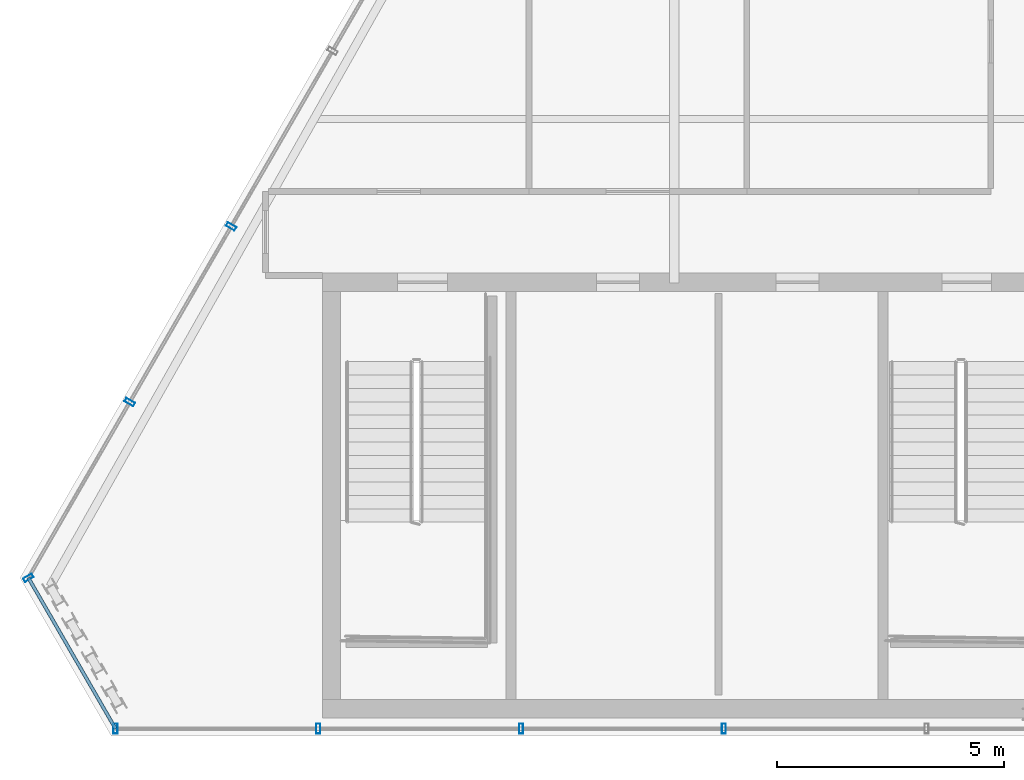
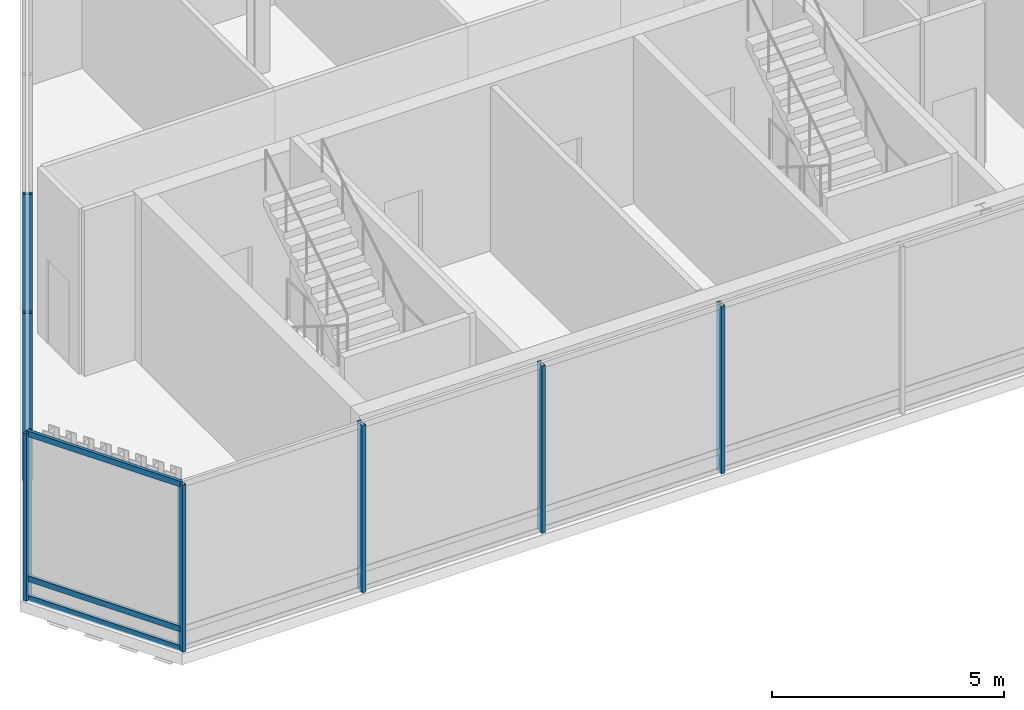
# One storey, part 3 of 25: 10 members, 3 elements without a shape of their own.
"""IFC4 building model written with IfcOpenShell, lengths in metres."""

from ifc_helpers import new_model, si_unit, direction, frame, origin, origin_2d, place, context, subcontext, project, spatial, hollow_rectangle, extrude, material, layer, layer_set, material_profile, profile_set, type_object, element, aggregate, save


model = new_model("IFC4")

# Units and contexts
model_context = context("Model", 3, precision=1e-05, world=origin(), true_north=direction((0.0, 1.0)))
body_context = subcontext(model_context, "Body", "Model", "MODEL_VIEW")
ifc_project = project(units=[si_unit("LENGTHUNIT", "METRE"), si_unit("AREAUNIT", "SQUARE_METRE"), si_unit("VOLUMEUNIT", "CUBIC_METRE"), si_unit("PLANEANGLEUNIT", "RADIAN"), si_unit("MASSUNIT", "GRAM", prefix="KILO")], contexts=[model_context])

# Site, building, storey
site_placement = place(None, origin())
site = spatial("IfcSite", under=ifc_project, at=site_placement, CompositionType="ELEMENT")
building_placement = place(site_placement, origin())
building = spatial("IfcBuilding", under=site, at=building_placement, Name="Ndaravel Arena Tower", CompositionType="ELEMENT")
storey_placement = place(building_placement, frame((0.0, 0.0, 303.300048828125)))
storey = spatial("IfcBuildingStorey", under=building, at=storey_placement, Name="L74", CompositionType="ELEMENT", Elevation=303.300048828125)

# Curtain wall, members
ifc_material_1 = material(Name="Aluminium", Category="aluminium")
ifc_layer = layer(ifc_material_1, 0.179931640625)
ifc_layer_set = layer_set([ifc_layer], Name="Aluminium")
curtain_wall_type = type_object("IfcCurtainWallType", Name="CW-SYS-04", PredefinedType="NOTDEFINED", material=ifc_layer_set)
curtain_wall_1_placement = place(storey_placement, origin())
curtain_wall_1 = element("IfcCurtainWall", 1, at=curtain_wall_1_placement, inside=storey, type_object=curtain_wall_type, Name="L74 Faceted Crystal Curtain Wall CW-L74-E01", PredefinedType="NOTDEFINED")
ifc_material_2 = material(Name="Aluminium", Category="aluminium")
ifc_material_profile_1 = material_profile(ifc_material_2, hollow_rectangle(XDim=0.090087890625, YDim=0.219970703125, WallThickness=0.0048828125, at=origin_2d()), Name="CW MULLION 90x220x5")
ifc_profile_set_1 = profile_set([ifc_material_profile_1], Name="Aluminium")
member_type_1 = type_object("IfcMemberType", Name="MEM-CW-MUL220", PredefinedType="MULLION", material=ifc_profile_set_1)
member_1_placement = place(storey_placement, frame((21.885009765625, 5.159912109375, 0.0), z_axis=(0.0, 0.0, 1.0), x_axis=(1.0, 0.0, 0.0)))
member_1 = element("IfcMember", 2, at=member_1_placement, type_object=member_type_1, Name="CW-L74-E01 Mullion 00", PredefinedType="MULLION", context=body_context, shape_type="SweptSolid", body=[
    extrude(hollow_rectangle(XDim=0.090087890625, YDim=0.219970703125, WallThickness=0.0048828125, at=origin_2d()), origin(), (0.0, 0.0, 1.0), 4.39990234375),
])
member_2_placement = place(storey_placement, frame((26.35498046875, 5.159912109375, 0.0), z_axis=(0.0, 0.0, 1.0), x_axis=(1.0, 0.0, 0.0)))
member_2 = element("IfcMember", 3, at=member_2_placement, type_object=member_type_1, Name="CW-L74-E01 Mullion 01", PredefinedType="MULLION", context=body_context, shape_type="SweptSolid", body=[
    extrude(hollow_rectangle(XDim=0.090087890625, YDim=0.219970703125, WallThickness=0.0048828125, at=origin_2d()), origin(), (0.0, 0.0, 1.0), 4.39990234375),
])
member_3_placement = place(storey_placement, frame((30.824951171875, 5.159912109375, 0.0), z_axis=(0.0, 0.0, 1.0), x_axis=(1.0, 0.0, 0.0)))
member_3 = element("IfcMember", 4, at=member_3_placement, type_object=member_type_1, Name="CW-L74-E01 Mullion 02", PredefinedType="MULLION", context=body_context, shape_type="SweptSolid", body=[
    extrude(hollow_rectangle(XDim=0.090087890625, YDim=0.219970703125, WallThickness=0.0048828125, at=origin_2d()), origin(), (0.0, 0.0, 1.0), 4.39990234375),
])
member_4_placement = place(storey_placement, frame((35.294921875, 5.159912109375, 0.0), z_axis=(0.0, 0.0, 1.0), x_axis=(1.0, 0.0, 0.0)))
member_4 = element("IfcMember", 5, at=member_4_placement, type_object=member_type_1, Name="CW-L74-E01 Mullion 03", PredefinedType="MULLION", context=body_context, shape_type="SweptSolid", body=[
    extrude(hollow_rectangle(XDim=0.090087890625, YDim=0.219970703125, WallThickness=0.0048828125, at=origin_2d()), origin(), (0.0, 0.0, 1.0), 4.39990234375),
])
aggregate(curtain_wall_1, [member_1, member_2, member_3, member_4])

curtain_wall_2_placement = place(storey_placement, origin())
curtain_wall_2 = element("IfcCurtainWall", 6, at=curtain_wall_2_placement, inside=storey, type_object=curtain_wall_type, Name="L74 Faceted Crystal Curtain Wall CW-L74-E05", PredefinedType="NOTDEFINED")
member_5_placement = place(storey_placement, frame((24.435302734375, 16.2275390625, 0.0), z_axis=(0.0, 0.0, 1.0), x_axis=(-0.5, -0.866025403784, 0.0)))
member_5 = element("IfcMember", 7, at=member_5_placement, type_object=member_type_1, Name="CW-L74-E05 Mullion 07", PredefinedType="MULLION", context=body_context, shape_type="SweptSolid", body=[
    extrude(hollow_rectangle(XDim=0.090087890625, YDim=0.219970703125, WallThickness=0.0048828125, at=origin_2d()), origin(), (0.0, 0.0, 1.0), 4.39990234375),
])
member_6_placement = place(storey_placement, frame((22.2001953125, 12.356201171875, 0.0), z_axis=(0.0, 0.0, 1.0), x_axis=(-0.5, -0.866025403784, 0.0)))
member_6 = element("IfcMember", 8, at=member_6_placement, type_object=member_type_1, Name="CW-L74-E05 Mullion 08", PredefinedType="MULLION", context=body_context, shape_type="SweptSolid", body=[
    extrude(hollow_rectangle(XDim=0.090087890625, YDim=0.219970703125, WallThickness=0.0048828125, at=origin_2d()), origin(), (0.0, 0.0, 1.0), 4.39990234375),
])
aggregate(curtain_wall_2, [member_5, member_6])

curtain_wall_3_placement = place(storey_placement, origin())
curtain_wall_3 = element("IfcCurtainWall", 9, at=curtain_wall_3_placement, inside=storey, type_object=curtain_wall_type, Name="L74 Faceted Crystal Curtain Wall CW-L74-E06", PredefinedType="NOTDEFINED")
member_7_placement = place(storey_placement, frame((19.965087890625, 8.485107421875, 0.0), z_axis=(0.0, 0.0, 1.0), x_axis=(0.5, -0.866025403784, 0.0)))
member_7 = element("IfcMember", 10, at=member_7_placement, type_object=member_type_1, Name="CW-L74-E06 Mullion 00", PredefinedType="MULLION", context=body_context, shape_type="SweptSolid", body=[
    extrude(hollow_rectangle(XDim=0.090087890625, YDim=0.219970703125, WallThickness=0.0048828125, at=origin_2d()), origin(), (0.0, 0.0, 1.0), 4.39990234375),
])
ifc_material_3 = material(Name="Aluminium", Category="aluminium")
ifc_material_profile_2 = material_profile(ifc_material_3, hollow_rectangle(XDim=0.074951171875, YDim=0.14990234375, WallThickness=0.00390625, at=origin_2d()), Name="CW TRANSOM 75x150x4")
ifc_profile_set_2 = profile_set([ifc_material_profile_2], Name="Aluminium")
member_type_2 = type_object("IfcMemberType", Name="MEM-CW-TRN150", PredefinedType="USERDEFINED", material=ifc_profile_set_2)
member_8_placement = place(storey_placement, frame((19.965087890625, 8.485107421875, 0.0400390625), z_axis=(0.500023335103, -0.866011930837, 0.0), x_axis=(0.866011930837, 0.500023335103, 0.0)))
member_8 = element("IfcMember", 11, at=member_8_placement, type_object=member_type_2, Name="CW-L74-E06 Transom 01", ObjectType="TRANSOM", PredefinedType="USERDEFINED", context=body_context, shape_type="SweptSolid", body=[
    extrude(hollow_rectangle(XDim=0.074951171875, YDim=0.14990234375, WallThickness=0.00390625, at=origin_2d()), origin(), (0.0, 0.0, 1.0), 3.839599609375),
])
member_9_placement = place(storey_placement, frame((19.965087890625, 8.485107421875, 0.550048828125), z_axis=(0.500023335103, -0.866011930837, 0.0), x_axis=(0.866011930837, 0.500023335103, 0.0)))
member_9 = element("IfcMember", 12, at=member_9_placement, type_object=member_type_2, Name="CW-L74-E06 Transom 02", ObjectType="TRANSOM", PredefinedType="USERDEFINED", context=body_context, shape_type="SweptSolid", body=[
    extrude(hollow_rectangle(XDim=0.074951171875, YDim=0.14990234375, WallThickness=0.00390625, at=origin_2d()), origin(), (0.0, 0.0, 1.0), 3.839599609375),
])
member_10_placement = place(storey_placement, frame((19.965087890625, 8.485107421875, 4.35986328125), z_axis=(0.500023335103, -0.866011930837, 0.0), x_axis=(0.866011930837, 0.500023335103, 0.0)))
member_10 = element("IfcMember", 13, at=member_10_placement, type_object=member_type_2, Name="CW-L74-E06 Transom 03", ObjectType="TRANSOM", PredefinedType="USERDEFINED", context=body_context, shape_type="SweptSolid", body=[
    extrude(hollow_rectangle(XDim=0.074951171875, YDim=0.14990234375, WallThickness=0.00390625, at=origin_2d()), origin(), (0.0, 0.0, 1.0), 3.839599609375),
])
aggregate(curtain_wall_3, [member_7, member_8, member_9, member_10])

save(model, "model.ifc")
